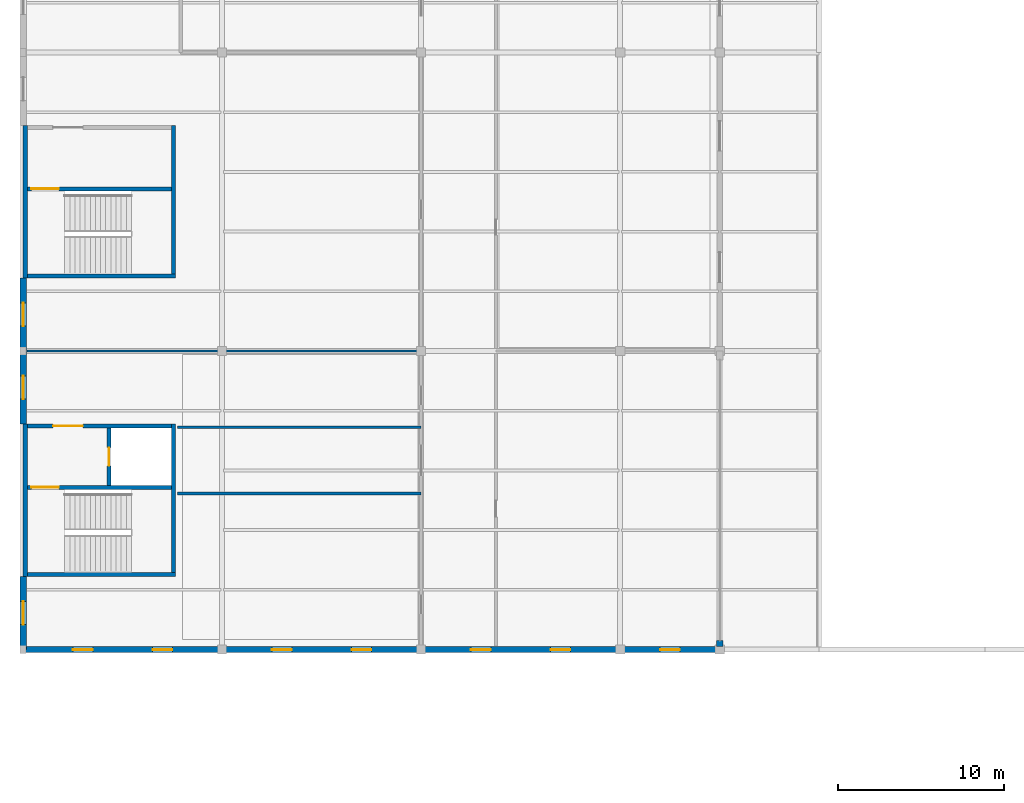
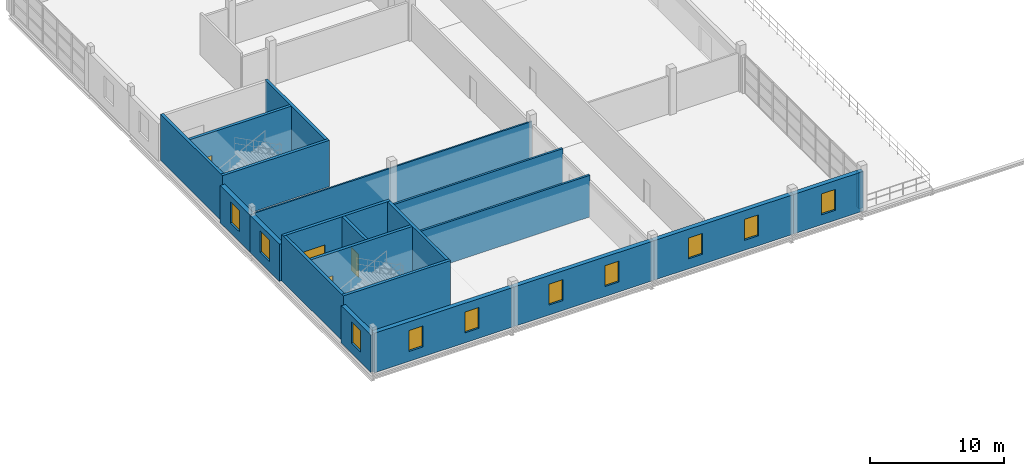
# One storey, part 77 of 86: 21 walls, 10 windows, 4 doors, 14 openings.
"""IFC4 building model written with IfcOpenShell, lengths in metres."""

from ifc_helpers import new_model, si_unit, direction, frame, frame_2d, origin, place, context, subcontext, project, spatial, rectangle, extrude, material, layer, layer_set, type_object, element, fill, save


model = new_model("IFC4")

# Units and contexts
model_context = context("Model", 3, precision=1e-05, world=origin(), true_north=direction((0.0, 1.0)))
body_context = subcontext(model_context, "Body", "Model", "MODEL_VIEW")
ifc_project = project(units=[si_unit("LENGTHUNIT", "METRE"), si_unit("AREAUNIT", "SQUARE_METRE"), si_unit("VOLUMEUNIT", "CUBIC_METRE"), si_unit("PLANEANGLEUNIT", "RADIAN"), si_unit("MASSUNIT", "GRAM", prefix="KILO")], contexts=[model_context])

# Site, building, storey
site_placement = place(None, origin())
site = spatial("IfcSite", under=ifc_project, at=site_placement, CompositionType="ELEMENT")
building_placement = place(site_placement, origin())
building = spatial("IfcBuilding", under=site, at=building_placement, Name="Zilviju Railside Exhibition Hall", CompositionType="ELEMENT")
storey_placement = place(building_placement, frame((0.0, 0.0, 12.60009765625)))
storey = spatial("IfcBuildingStorey", under=building, at=storey_placement, Name="L04", CompositionType="ELEMENT", Elevation=12.60009765625)

# Walls
ifc_material_1 = material(Name="Concrete C35/45", Category="concrete")
ifc_layer_1 = layer(ifc_material_1, 0.25)
ifc_layer_set_1 = layer_set([ifc_layer_1], Name="Concrete C35/45")
wall_type_1 = type_object("IfcWallType", Name="WL-CORE-250", PredefinedType="SHEAR", material=ifc_layer_set_1)
wall_1_placement = place(storey_placement, frame((0.0, 88.52490234375, 0.0), z_axis=(0.0, 0.0, 1.0), x_axis=(1.0, 0.0, 0.0)))
element("IfcWall", 1, at=wall_1_placement, inside=storey, type_object=wall_type_1, Name="Core C15 Organisers Wing South Stairwell Outer Wall L04", PredefinedType="SHEAR", context=body_context, shape_type="SweptSolid", body=[
    extrude(rectangle(XDim=9.199951171875, YDim=0.25, at=frame_2d((4.60009765625, 0.0))), origin(), (0.0, 0.0, 1.0), 4.199951171875),
])
wall_2_placement = place(storey_placement, frame((9.074951171875, 88.39990234375, 0.0), z_axis=(0.0, 0.0, 1.0), x_axis=(0.0, 1.0, 0.0)))
element("IfcWall", 2, at=wall_2_placement, inside=storey, type_object=wall_type_1, Name="Core C15 Organisers Wing South Core Rear Wall L04", PredefinedType="SHEAR", context=body_context, shape_type="SweptSolid", body=[
    extrude(rectangle(XDim=9.2001953125, YDim=0.25, at=frame_2d((4.60009765625, 0.0))), origin(), (0.0, 0.0, 1.0), 4.199951171875),
])

# Wall, opening, door
wall_3_placement = place(storey_placement, frame((0.0, 97.47509765625, 0.0), z_axis=(0.0, 0.0, 1.0), x_axis=(1.0, 0.0, 0.0)))
wall_3 = element("IfcWall", 3, at=wall_3_placement, inside=storey, type_object=wall_type_1, Name="Core C15 Organisers Wing South Lobby Side Wall L04", PredefinedType="SHEAR", context=body_context, shape_type="SweptSolid", body=[
    extrude(rectangle(XDim=9.199951171875, YDim=0.25, at=frame_2d((4.60009765625, 0.0))), origin(), (0.0, 0.0, 1.0), 4.199951171875),
])
opening_1_placement = place(wall_3_placement, frame((1.800048828125, 0.0, 0.0)))
opening_1 = element("IfcOpeningElement", 4, at=opening_1_placement, cuts=wall_3, Name="Opening FD-02", PredefinedType="OPENING", context=body_context, shape_type="SweptSolid", body=[
    extrude(rectangle(XDim=1.800048828125, YDim=2.14990234375, at=frame_2d((0.89990234375, 1.074951171875))), frame((0.0, 0.135009765625, 0.0), z_axis=(0.0, -1.0, 0.0), x_axis=(1.0, 0.0, 0.0)), (0.0, 0.0, 1.0), 0.27001953125),
])
ifc_material_2 = material(Name="Self-closing glazed steel core lobby fire door EI 60", Category="steel")
door_type_1 = type_object("IfcDoorType", Name="DR-LOBBY-180x215", OperationType="NOTDEFINED", PredefinedType="DOOR", material=ifc_material_2)
door_1_placement = place(opening_1_placement, origin())
door_1 = element("IfcDoor", 5, at=door_1_placement, inside=storey, type_object=door_type_1, Name="Core C15 Organisers Wing South Lobby Fire Door L04", OperationType="DOUBLE_DOOR_SINGLE_SWING", OverallHeight=2.14990234375, OverallWidth=1.800048828125, PredefinedType="DOOR", context=body_context, shape_type="SweptSolid", body=[
    extrude(rectangle(XDim=1.800048828125, YDim=2.14990234375, at=frame_2d((0.89990234375, 1.074951171875))), frame((0.0, 0.02490234375, 0.0), z_axis=(0.0, -1.0, 0.0), x_axis=(1.0, 0.0, 0.0)), (0.0, 0.0, 1.0), 0.050048828125),
])
fill(opening_1, door_1)

wall_4_placement = place(storey_placement, frame((0.25, 93.77490234375, 0.0), z_axis=(0.0, 0.0, 1.0), x_axis=(1.0, 0.0, 0.0)))
wall_4 = element("IfcWall", 6, at=wall_4_placement, inside=storey, type_object=wall_type_1, Name="Core C15 Organisers Wing South Stairwell Partition Wall L04", PredefinedType="SHEAR", context=body_context, shape_type="SweptSolid", body=[
    extrude(rectangle(XDim=8.699951171875, YDim=0.25, at=frame_2d((4.35009765625, 0.0))), origin(), (0.0, 0.0, 1.0), 4.199951171875),
])
opening_2_placement = place(wall_4_placement, frame((0.25, 0.0, 0.0)))
opening_2 = element("IfcOpeningElement", 7, at=opening_2_placement, cuts=wall_4, Name="Opening FD-01", PredefinedType="OPENING", context=body_context, shape_type="SweptSolid", body=[
    extrude(rectangle(XDim=1.64990234375, YDim=2.10009765625, at=frame_2d((0.824951171875, 1.050048828125))), frame((0.0, 0.135009765625, 0.0), z_axis=(0.0, -1.0, 0.0), x_axis=(1.0, 0.0, 0.0)), (0.0, 0.0, 1.0), 0.27001953125),
])
ifc_material_3 = material(Name="Self-closing steel stair enclosure fire door EI 60", Category="steel")
door_type_2 = type_object("IfcDoorType", Name="DR-STAIR-165x210", OperationType="NOTDEFINED", PredefinedType="DOOR", material=ifc_material_3)
door_2_placement = place(opening_2_placement, origin())
door_2 = element("IfcDoor", 8, at=door_2_placement, inside=storey, type_object=door_type_2, Name="Core C15 Organisers Wing South Protected Stair Door L04", OperationType="SINGLE_SWING_RIGHT", OverallHeight=2.10009765625, OverallWidth=1.64990234375, PredefinedType="DOOR", context=body_context, shape_type="SweptSolid", body=[
    extrude(rectangle(XDim=1.64990234375, YDim=2.10009765625, at=frame_2d((0.824951171875, 1.050048828125))), frame((0.0, 0.02490234375, 0.0), z_axis=(0.0, -1.0, 0.0), x_axis=(1.0, 0.0, 0.0)), (0.0, 0.0, 1.0), 0.050048828125),
])
fill(opening_2, door_2)

wall_5_placement = place(storey_placement, frame((5.175048828125, 93.89990234375, 0.0), z_axis=(0.0, 0.0, 1.0), x_axis=(0.0, 1.0, 0.0)))
wall_5 = element("IfcWall", 9, at=wall_5_placement, inside=storey, type_object=wall_type_1, Name="Core C15 Organisers Wing South Lift Shaft Front Wall L04", PredefinedType="SHEAR", context=body_context, shape_type="SweptSolid", body=[
    extrude(rectangle(XDim=3.4501953125, YDim=0.25, at=frame_2d((1.72509765625, 0.0))), origin(), (0.0, 0.0, 1.0), 4.199951171875),
])
opening_3_placement = place(wall_5_placement, frame((1.175048828125, 0.0, 0.0)))
opening_3 = element("IfcOpeningElement", 10, at=opening_3_placement, cuts=wall_5, Name="Opening LD-01", PredefinedType="OPENING", context=body_context, shape_type="SweptSolid", body=[
    extrude(rectangle(XDim=1.10009765625, YDim=2.10009765625, at=frame_2d((0.550048828125, 1.050048828125))), frame((0.0, 0.135009765625, 0.0), z_axis=(0.0, -1.0, 0.0), x_axis=(1.0, 0.0, 0.0)), (0.0, 0.0, 1.0), 0.27001953125),
])
ifc_material_4 = material(Name="Passenger lift sliding landing door EI 60", Category="wood")
door_type_3 = type_object("IfcDoorType", Name="DR-LIFT-110x210", OperationType="NOTDEFINED", PredefinedType="DOOR", material=ifc_material_4)
door_3_placement = place(opening_3_placement, origin())
door_3 = element("IfcDoor", 11, at=door_3_placement, inside=storey, type_object=door_type_3, Name="Lift Landing Door LP-06 L04", OperationType="SLIDING_TO_LEFT", OverallHeight=2.10009765625, OverallWidth=1.10009765625, PredefinedType="DOOR", context=body_context, shape_type="SweptSolid", body=[
    extrude(rectangle(XDim=1.10009765625, YDim=2.10009765625, at=frame_2d((0.550048828125, 1.050048828125))), frame((0.0, 0.02490234375, 0.0), z_axis=(0.0, -1.0, 0.0), x_axis=(1.0, 0.0, 0.0)), (0.0, 0.0, 1.0), 0.050048828125),
])
fill(opening_3, door_3)

# Walls
wall_6_placement = place(storey_placement, frame((0.0, 106.52490234375, 0.0), z_axis=(0.0, 0.0, 1.0), x_axis=(1.0, 0.0, 0.0)))
element("IfcWall", 12, at=wall_6_placement, inside=storey, type_object=wall_type_1, Name="Core C16 Organisers Wing North Stairwell Outer Wall L04", PredefinedType="SHEAR", context=body_context, shape_type="SweptSolid", body=[
    extrude(rectangle(XDim=9.199951171875, YDim=0.25, at=frame_2d((4.60009765625, 0.0))), origin(), (0.0, 0.0, 1.0), 4.199951171875),
])
wall_7_placement = place(storey_placement, frame((9.074951171875, 106.39990234375, 0.0), z_axis=(0.0, 0.0, 1.0), x_axis=(0.0, 1.0, 0.0)))
element("IfcWall", 13, at=wall_7_placement, inside=storey, type_object=wall_type_1, Name="Core C16 Organisers Wing North Core Rear Wall L04", PredefinedType="SHEAR", context=body_context, shape_type="SweptSolid", body=[
    extrude(rectangle(XDim=9.2001953125, YDim=0.25, at=frame_2d((4.60009765625, 0.0))), origin(), (0.0, 0.0, 1.0), 4.199951171875),
])

# Wall, opening, door
wall_8_placement = place(storey_placement, frame((0.25, 111.77490234375, 0.0), z_axis=(0.0, 0.0, 1.0), x_axis=(1.0, 0.0, 0.0)))
wall_8 = element("IfcWall", 14, at=wall_8_placement, inside=storey, type_object=wall_type_1, Name="Core C16 Organisers Wing North Stairwell Partition Wall L04", PredefinedType="SHEAR", context=body_context, shape_type="SweptSolid", body=[
    extrude(rectangle(XDim=8.699951171875, YDim=0.25, at=frame_2d((4.35009765625, 0.0))), origin(), (0.0, 0.0, 1.0), 4.199951171875),
])
opening_4_placement = place(wall_8_placement, frame((0.25, 0.0, 0.0)))
opening_4 = element("IfcOpeningElement", 15, at=opening_4_placement, cuts=wall_8, Name="Opening FD-01", PredefinedType="OPENING", context=body_context, shape_type="SweptSolid", body=[
    extrude(rectangle(XDim=1.64990234375, YDim=2.10009765625, at=frame_2d((0.824951171875, 1.050048828125))), frame((0.0, 0.135009765625, 0.0), z_axis=(0.0, -1.0, 0.0), x_axis=(1.0, 0.0, 0.0)), (0.0, 0.0, 1.0), 0.27001953125),
])
door_4_placement = place(opening_4_placement, origin())
door_4 = element("IfcDoor", 16, at=door_4_placement, inside=storey, type_object=door_type_2, Name="Core C16 Organisers Wing North Protected Stair Door L04", OperationType="SINGLE_SWING_LEFT", OverallHeight=2.10009765625, OverallWidth=1.64990234375, PredefinedType="DOOR", context=body_context, shape_type="SweptSolid", body=[
    extrude(rectangle(XDim=1.64990234375, YDim=2.10009765625, at=frame_2d((0.824951171875, 1.050048828125))), frame((0.0, 0.02490234375, 0.0), z_axis=(0.0, -1.0, 0.0), x_axis=(1.0, 0.0, 0.0)), (0.0, 0.0, 1.0), 0.050048828125),
])
fill(opening_4, door_4)

# Walls
ifc_material_5 = material(Name="Concrete C40/50", Category="concrete")
ifc_layer_2 = layer(ifc_material_5, 0.25)
ifc_layer_set_2 = layer_set([ifc_layer_2], Name="Concrete C40/50")
wall_type_2 = type_object("IfcWallType", Name="WL-CORE-300", PredefinedType="SHEAR", material=ifc_layer_set_2)
for number, where, z_axis, x_axis, name in (
    (17, (0.125, 88.39990234375, 0.0), (0.0, 0.0, 1.0), (0.0, 1.0, 0.0), "Core C15 Organisers Wing South Exterior Core Wall L04"),
    (18, (0.125, 106.39990234375, 0.0), (0.0, 0.0, 1.0), (0.0, 1.0, 0.0), "Core C16 Organisers Wing North Exterior Core Wall L04"),
):
    element("IfcWall", number, at=place(storey_placement, frame(where, z_axis=z_axis, x_axis=x_axis)), inside=storey, type_object=wall_type_2, Name=name, PredefinedType="SHEAR", context=body_context, shape_type="SweptSolid", body=[
        extrude(rectangle(XDim=9.2001953125, YDim=0.25, at=frame_2d((4.60009765625, 0.0))), origin(), (0.0, 0.0, 1.0), 4.199951171875),
    ])

# Wall, opening, window
ifc_material_6 = material(Name="Insulated cream-brick upper facade wall", Category="masonry")
ifc_layer_3 = layer(ifc_material_6, 0.3798828125)
ifc_layer_set_3 = layer_set([ifc_layer_3], Name="Insulated cream-brick upper facade wall")
wall_type_3 = type_object("IfcWallType", Name="WL-EXT-380", PredefinedType="SOLIDWALL", material=ifc_layer_set_3)
wall_9_placement = place(storey_placement, frame((0.0, 84.0, 0.0), z_axis=(0.0, 0.0, 1.0), x_axis=(0.0, 1.0, 0.0)))
wall_9 = element("IfcWall", 19, at=wall_9_placement, inside=storey, type_object=wall_type_3, Name="Exterior Facade Wall L04 West 0486", PredefinedType="SOLIDWALL", context=body_context, shape_type="SweptSolid", body=[
    extrude(rectangle(XDim=4.39990234375, YDim=0.3798828125, at=frame_2d((2.199951171875, 0.0))), origin(), (0.0, 0.0, 1.0), 3.3798828125),
])
opening_5_placement = place(wall_9_placement, frame((1.5, 0.0, 0.89990234375)))
opening_5 = element("IfcOpeningElement", 20, at=opening_5_placement, cuts=wall_9, Name="Opening WN-03", PredefinedType="OPENING", context=body_context, shape_type="SweptSolid", body=[
    extrude(rectangle(XDim=1.39990234375, YDim=1.949951171875, at=frame_2d((0.699951171875, 0.97509765625))), frame((0.0, 0.199951171875, 0.0), z_axis=(0.0, -1.0, 0.0), x_axis=(1.0, 0.0, 0.0)), (0.0, 0.0, 1.0), 0.39990234375),
])
ifc_material_7 = material(Name="Triple-glazed timber-aluminium window unit", Category="wood")
window_type_1 = type_object("IfcWindowType", Name="WIN-JUG-140x195", PartitioningType="DOUBLE_PANEL_VERTICAL", PredefinedType="WINDOW", material=ifc_material_7)
window_1_placement = place(opening_5_placement, origin())
window_1 = element("IfcWindow", 21, at=window_1_placement, inside=storey, type_object=window_type_1, Name="Facade Window L04 WN-0053", OverallHeight=1.949951171875, OverallWidth=1.39990234375, PartitioningType="SINGLE_PANEL", PredefinedType="WINDOW", context=body_context, shape_type="SweptSolid", body=[
    extrude(rectangle(XDim=1.39990234375, YDim=1.949951171875, at=frame_2d((0.699951171875, 0.97509765625))), frame((0.0, 0.030029296875, 0.0), z_axis=(0.0, -1.0, 0.0), x_axis=(1.0, 0.0, 0.0)), (0.0, 0.0, 1.0), 0.06005859375),
])
fill(opening_5, window_1)

wall_10_placement = place(storey_placement, frame((0.0, 97.60009765625, 0.0), z_axis=(0.0, 0.0, 1.0), x_axis=(0.0, 1.0, 0.0)))
wall_10 = element("IfcWall", 22, at=wall_10_placement, inside=storey, type_object=wall_type_3, Name="Exterior Facade Wall L04 West 0487", PredefinedType="SOLIDWALL", context=body_context, shape_type="SweptSolid", body=[
    extrude(rectangle(XDim=4.39990234375, YDim=0.3798828125, at=frame_2d((2.199951171875, 0.0))), origin(), (0.0, 0.0, 1.0), 3.3798828125),
])
opening_6_placement = place(wall_10_placement, frame((1.5, 0.0, 0.89990234375)))
opening_6 = element("IfcOpeningElement", 23, at=opening_6_placement, cuts=wall_10, Name="Opening WN-03", PredefinedType="OPENING", context=body_context, shape_type="SweptSolid", body=[
    extrude(rectangle(XDim=1.39990234375, YDim=1.949951171875, at=frame_2d((0.699951171875, 0.97509765625))), frame((0.0, 0.199951171875, 0.0), z_axis=(0.0, -1.0, 0.0), x_axis=(1.0, 0.0, 0.0)), (0.0, 0.0, 1.0), 0.39990234375),
])
window_2_placement = place(opening_6_placement, origin())
window_2 = element("IfcWindow", 24, at=window_2_placement, inside=storey, type_object=window_type_1, Name="Facade Window L04 WN-0054", OverallHeight=1.949951171875, OverallWidth=1.39990234375, PartitioningType="SINGLE_PANEL", PredefinedType="WINDOW", context=body_context, shape_type="SweptSolid", body=[
    extrude(rectangle(XDim=1.39990234375, YDim=1.949951171875, at=frame_2d((0.699951171875, 0.97509765625))), frame((0.0, 0.030029296875, 0.0), z_axis=(0.0, -1.0, 0.0), x_axis=(1.0, 0.0, 0.0)), (0.0, 0.0, 1.0), 0.06005859375),
])
fill(opening_6, window_2)

wall_11_placement = place(storey_placement, frame((0.0, 102.0, 0.0), z_axis=(0.0, 0.0, 1.0), x_axis=(0.0, 1.0, 0.0)))
wall_11 = element("IfcWall", 25, at=wall_11_placement, inside=storey, type_object=wall_type_3, Name="Exterior Facade Wall L04 West 0488", PredefinedType="SOLIDWALL", context=body_context, shape_type="SweptSolid", body=[
    extrude(rectangle(XDim=4.39990234375, YDim=0.3798828125, at=frame_2d((2.199951171875, 0.0))), origin(), (0.0, 0.0, 1.0), 3.3798828125),
])
opening_7_placement = place(wall_11_placement, frame((1.5, 0.0, 0.89990234375)))
opening_7 = element("IfcOpeningElement", 26, at=opening_7_placement, cuts=wall_11, Name="Opening WN-03", PredefinedType="OPENING", context=body_context, shape_type="SweptSolid", body=[
    extrude(rectangle(XDim=1.39990234375, YDim=1.949951171875, at=frame_2d((0.699951171875, 0.97509765625))), frame((0.0, 0.199951171875, 0.0), z_axis=(0.0, -1.0, 0.0), x_axis=(1.0, 0.0, 0.0)), (0.0, 0.0, 1.0), 0.39990234375),
])
window_3_placement = place(opening_7_placement, origin())
window_3 = element("IfcWindow", 27, at=window_3_placement, inside=storey, type_object=window_type_1, Name="Facade Window L04 WN-0055", OverallHeight=1.949951171875, OverallWidth=1.39990234375, PartitioningType="SINGLE_PANEL", PredefinedType="WINDOW", context=body_context, shape_type="SweptSolid", body=[
    extrude(rectangle(XDim=1.39990234375, YDim=1.949951171875, at=frame_2d((0.699951171875, 0.97509765625))), frame((0.0, 0.030029296875, 0.0), z_axis=(0.0, -1.0, 0.0), x_axis=(1.0, 0.0, 0.0)), (0.0, 0.0, 1.0), 0.06005859375),
])
fill(opening_7, window_3)

# Wall
wall_12_placement = place(storey_placement, frame((42.0, 84.550048828125, 0.0), z_axis=(0.0, 0.0, 1.0), x_axis=(0.0, -1.0, 0.0)))
element("IfcWall", 28, at=wall_12_placement, inside=storey, type_object=wall_type_3, Name="Curtain-Wall Jamb Closure Pier L04 0493", PredefinedType="SOLIDWALL", context=body_context, shape_type="SweptSolid", body=[
    extrude(rectangle(XDim=0.358154296875, YDim=0.3798828125, at=frame_2d((0.17919921875, 0.0))), origin(), (0.0, 0.0, 1.0), 3.2998046875),
])

# Wall, openings, windows
wall_13_placement = place(storey_placement, frame((12.0, 84.0, 0.0), z_axis=(0.0, 0.0, 1.0), x_axis=(-1.0, 0.0, 0.0)))
wall_13 = element("IfcWall", 29, at=wall_13_placement, inside=storey, type_object=wall_type_3, Name="Exterior Facade Wall L04 South 0498", PredefinedType="SOLIDWALL", context=body_context, shape_type="SweptSolid", body=[
    extrude(rectangle(XDim=12.0, YDim=0.3798828125, at=frame_2d((6.0, 0.0))), origin(), (0.0, 0.0, 1.0), 3.58984375),
])
opening_8_placement = place(wall_13_placement, frame((3.0, 0.0, 0.89990234375)))
opening_8 = element("IfcOpeningElement", 30, at=opening_8_placement, cuts=wall_13, Name="Opening WN-04", PredefinedType="OPENING", context=body_context, shape_type="SweptSolid", body=[
    extrude(rectangle(XDim=1.199951171875, YDim=1.89990234375, at=frame_2d((0.60009765625, 0.949951171875))), frame((0.0, 0.199951171875, 0.0), z_axis=(0.0, -1.0, 0.0), x_axis=(1.0, 0.0, 0.0)), (0.0, 0.0, 1.0), 0.39990234375),
])
opening_9_placement = place(wall_13_placement, frame((7.800048828125, 0.0, 0.89990234375)))
opening_9 = element("IfcOpeningElement", 31, at=opening_9_placement, cuts=wall_13, Name="Opening WN-04", PredefinedType="OPENING", context=body_context, shape_type="SweptSolid", body=[
    extrude(rectangle(XDim=1.199951171875, YDim=1.89990234375, at=frame_2d((0.60009765625, 0.949951171875))), frame((0.0, 0.199951171875, 0.0), z_axis=(0.0, -1.0, 0.0), x_axis=(1.0, 0.0, 0.0)), (0.0, 0.0, 1.0), 0.39990234375),
])
window_type_2 = type_object("IfcWindowType", Name="WIN-JUG-120x190", PartitioningType="SINGLE_PANEL", PredefinedType="WINDOW", material=ifc_material_7)
window_4_placement = place(opening_8_placement, origin())
window_4 = element("IfcWindow", 32, at=window_4_placement, inside=storey, type_object=window_type_2, Name="Facade Window L04 WN-0061", OverallHeight=1.89990234375, OverallWidth=1.199951171875, PartitioningType="SINGLE_PANEL", PredefinedType="WINDOW", context=body_context, shape_type="SweptSolid", body=[
    extrude(rectangle(XDim=1.199951171875, YDim=1.89990234375, at=frame_2d((0.60009765625, 0.949951171875))), frame((0.0, 0.030029296875, 0.0), z_axis=(0.0, -1.0, 0.0), x_axis=(1.0, 0.0, 0.0)), (0.0, 0.0, 1.0), 0.06005859375),
])
fill(opening_8, window_4)
window_5_placement = place(opening_9_placement, origin())
window_5 = element("IfcWindow", 33, at=window_5_placement, inside=storey, type_object=window_type_2, Name="Facade Window L04 WN-0062", OverallHeight=1.89990234375, OverallWidth=1.199951171875, PartitioningType="SINGLE_PANEL", PredefinedType="WINDOW", context=body_context, shape_type="SweptSolid", body=[
    extrude(rectangle(XDim=1.199951171875, YDim=1.89990234375, at=frame_2d((0.60009765625, 0.949951171875))), frame((0.0, 0.030029296875, 0.0), z_axis=(0.0, -1.0, 0.0), x_axis=(1.0, 0.0, 0.0)), (0.0, 0.0, 1.0), 0.06005859375),
])
fill(opening_9, window_5)

wall_14_placement = place(storey_placement, frame((24.0, 84.0, 0.0), z_axis=(0.0, 0.0, 1.0), x_axis=(-1.0, 0.0, 0.0)))
wall_14 = element("IfcWall", 34, at=wall_14_placement, inside=storey, type_object=wall_type_3, Name="Exterior Facade Wall L04 South 0500", PredefinedType="SOLIDWALL", context=body_context, shape_type="SweptSolid", body=[
    extrude(rectangle(XDim=12.0, YDim=0.3798828125, at=frame_2d((6.0, 0.0))), origin(), (0.0, 0.0, 1.0), 3.58984375),
])
opening_10_placement = place(wall_14_placement, frame((3.0, 0.0, 0.89990234375)))
opening_10 = element("IfcOpeningElement", 35, at=opening_10_placement, cuts=wall_14, Name="Opening WN-04", PredefinedType="OPENING", context=body_context, shape_type="SweptSolid", body=[
    extrude(rectangle(XDim=1.199951171875, YDim=1.89990234375, at=frame_2d((0.60009765625, 0.949951171875))), frame((0.0, 0.199951171875, 0.0), z_axis=(0.0, -1.0, 0.0), x_axis=(1.0, 0.0, 0.0)), (0.0, 0.0, 1.0), 0.39990234375),
])
opening_11_placement = place(wall_14_placement, frame((7.800048828125, 0.0, 0.89990234375)))
opening_11 = element("IfcOpeningElement", 36, at=opening_11_placement, cuts=wall_14, Name="Opening WN-04", PredefinedType="OPENING", context=body_context, shape_type="SweptSolid", body=[
    extrude(rectangle(XDim=1.199951171875, YDim=1.89990234375, at=frame_2d((0.60009765625, 0.949951171875))), frame((0.0, 0.199951171875, 0.0), z_axis=(0.0, -1.0, 0.0), x_axis=(1.0, 0.0, 0.0)), (0.0, 0.0, 1.0), 0.39990234375),
])
window_6_placement = place(opening_10_placement, origin())
window_6 = element("IfcWindow", 37, at=window_6_placement, inside=storey, type_object=window_type_2, Name="Facade Window L04 WN-0063", OverallHeight=1.89990234375, OverallWidth=1.199951171875, PartitioningType="SINGLE_PANEL", PredefinedType="WINDOW", context=body_context, shape_type="SweptSolid", body=[
    extrude(rectangle(XDim=1.199951171875, YDim=1.89990234375, at=frame_2d((0.60009765625, 0.949951171875))), frame((0.0, 0.030029296875, 0.0), z_axis=(0.0, -1.0, 0.0), x_axis=(1.0, 0.0, 0.0)), (0.0, 0.0, 1.0), 0.06005859375),
])
fill(opening_10, window_6)
window_7_placement = place(opening_11_placement, origin())
window_7 = element("IfcWindow", 38, at=window_7_placement, inside=storey, type_object=window_type_2, Name="Facade Window L04 WN-0064", OverallHeight=1.89990234375, OverallWidth=1.199951171875, PartitioningType="SINGLE_PANEL", PredefinedType="WINDOW", context=body_context, shape_type="SweptSolid", body=[
    extrude(rectangle(XDim=1.199951171875, YDim=1.89990234375, at=frame_2d((0.60009765625, 0.949951171875))), frame((0.0, 0.030029296875, 0.0), z_axis=(0.0, -1.0, 0.0), x_axis=(1.0, 0.0, 0.0)), (0.0, 0.0, 1.0), 0.06005859375),
])
fill(opening_11, window_7)

wall_15_placement = place(storey_placement, frame((36.0, 84.0, 0.0), z_axis=(0.0, 0.0, 1.0), x_axis=(-1.0, 0.0, 0.0)))
wall_15 = element("IfcWall", 39, at=wall_15_placement, inside=storey, type_object=wall_type_3, Name="Exterior Facade Wall L04 South 0502", PredefinedType="SOLIDWALL", context=body_context, shape_type="SweptSolid", body=[
    extrude(rectangle(XDim=12.0, YDim=0.3798828125, at=frame_2d((6.0, 0.0))), origin(), (0.0, 0.0, 1.0), 3.58984375),
])
opening_12_placement = place(wall_15_placement, frame((3.0, 0.0, 0.89990234375)))
opening_12 = element("IfcOpeningElement", 40, at=opening_12_placement, cuts=wall_15, Name="Opening WN-04", PredefinedType="OPENING", context=body_context, shape_type="SweptSolid", body=[
    extrude(rectangle(XDim=1.199951171875, YDim=1.89990234375, at=frame_2d((0.60009765625, 0.949951171875))), frame((0.0, 0.199951171875, 0.0), z_axis=(0.0, -1.0, 0.0), x_axis=(1.0, 0.0, 0.0)), (0.0, 0.0, 1.0), 0.39990234375),
])
opening_13_placement = place(wall_15_placement, frame((7.800048828125, 0.0, 0.89990234375)))
opening_13 = element("IfcOpeningElement", 41, at=opening_13_placement, cuts=wall_15, Name="Opening WN-04", PredefinedType="OPENING", context=body_context, shape_type="SweptSolid", body=[
    extrude(rectangle(XDim=1.199951171875, YDim=1.89990234375, at=frame_2d((0.60009765625, 0.949951171875))), frame((0.0, 0.199951171875, 0.0), z_axis=(0.0, -1.0, 0.0), x_axis=(1.0, 0.0, 0.0)), (0.0, 0.0, 1.0), 0.39990234375),
])
window_8_placement = place(opening_12_placement, origin())
window_8 = element("IfcWindow", 42, at=window_8_placement, inside=storey, type_object=window_type_2, Name="Facade Window L04 WN-0065", OverallHeight=1.89990234375, OverallWidth=1.199951171875, PartitioningType="SINGLE_PANEL", PredefinedType="WINDOW", context=body_context, shape_type="SweptSolid", body=[
    extrude(rectangle(XDim=1.199951171875, YDim=1.89990234375, at=frame_2d((0.60009765625, 0.949951171875))), frame((0.0, 0.030029296875, 0.0), z_axis=(0.0, -1.0, 0.0), x_axis=(1.0, 0.0, 0.0)), (0.0, 0.0, 1.0), 0.06005859375),
])
fill(opening_12, window_8)
window_9_placement = place(opening_13_placement, origin())
window_9 = element("IfcWindow", 43, at=window_9_placement, inside=storey, type_object=window_type_2, Name="Facade Window L04 WN-0066", OverallHeight=1.89990234375, OverallWidth=1.199951171875, PartitioningType="SINGLE_PANEL", PredefinedType="WINDOW", context=body_context, shape_type="SweptSolid", body=[
    extrude(rectangle(XDim=1.199951171875, YDim=1.89990234375, at=frame_2d((0.60009765625, 0.949951171875))), frame((0.0, 0.030029296875, 0.0), z_axis=(0.0, -1.0, 0.0), x_axis=(1.0, 0.0, 0.0)), (0.0, 0.0, 1.0), 0.06005859375),
])
fill(opening_13, window_9)

# Wall, opening, window
wall_16_placement = place(storey_placement, frame((42.0, 84.0, 0.0), z_axis=(0.0, 0.0, 1.0), x_axis=(-1.0, 0.0, 0.0)))
wall_16 = element("IfcWall", 44, at=wall_16_placement, inside=storey, type_object=wall_type_3, Name="Exterior Facade Wall L04 South 0504", PredefinedType="SOLIDWALL", context=body_context, shape_type="SweptSolid", body=[
    extrude(rectangle(XDim=6.0, YDim=0.3798828125, at=frame_2d((3.0, 0.0))), origin(), (0.0, 0.0, 1.0), 3.58984375),
])
opening_14_placement = place(wall_16_placement, frame((2.39990234375, 0.0, 0.89990234375)))
opening_14 = element("IfcOpeningElement", 45, at=opening_14_placement, cuts=wall_16, Name="Opening WN-04", PredefinedType="OPENING", context=body_context, shape_type="SweptSolid", body=[
    extrude(rectangle(XDim=1.199951171875, YDim=1.89990234375, at=frame_2d((0.60009765625, 0.949951171875))), frame((0.0, 0.199951171875, 0.0), z_axis=(0.0, -1.0, 0.0), x_axis=(1.0, 0.0, 0.0)), (0.0, 0.0, 1.0), 0.39990234375),
])
window_10_placement = place(opening_14_placement, origin())
window_10 = element("IfcWindow", 46, at=window_10_placement, inside=storey, type_object=window_type_2, Name="Facade Window L04 WN-0067", OverallHeight=1.89990234375, OverallWidth=1.199951171875, PartitioningType="SINGLE_PANEL", PredefinedType="WINDOW", context=body_context, shape_type="SweptSolid", body=[
    extrude(rectangle(XDim=1.199951171875, YDim=1.89990234375, at=frame_2d((0.60009765625, 0.949951171875))), frame((0.0, 0.030029296875, 0.0), z_axis=(0.0, -1.0, 0.0), x_axis=(1.0, 0.0, 0.0)), (0.0, 0.0, 1.0), 0.06005859375),
])
fill(opening_14, window_10)

# Walls
ifc_material_8 = material(Name="Light office acoustic partition wall", Category="masonry")
ifc_layer_4 = layer(ifc_material_8, 0.135009765625)
ifc_layer_set_4 = layer_set([ifc_layer_4], Name="Light office acoustic partition wall")
wall_type_4 = type_object("IfcWallType", Name="WL-PART-135", PredefinedType="PARTITIONING", material=ifc_layer_set_4)
wall_17_placement = place(storey_placement, frame((0.219970703125, 102.0, 0.0), z_axis=(0.0, 0.0, 1.0), x_axis=(1.0, 0.0, 0.0)))
element("IfcWall", 47, at=wall_17_placement, inside=storey, type_object=wall_type_4, Name="Wing West Cross Wall L04 Y=102", PredefinedType="PARTITIONING", context=body_context, shape_type="SweptSolid", body=[
    extrude(rectangle(XDim=23.780029296875, YDim=0.135009765625, at=frame_2d((11.89013671875, 0.0))), origin(), (0.0, 0.0, 1.0), 3.43994140625),
])
ifc_material_9 = material(Name="Acoustic conference partition wall", Category="masonry")
ifc_layer_5 = layer(ifc_material_9, 0.175048828125)
ifc_layer_set_5 = layer_set([ifc_layer_5], Name="Acoustic conference partition wall")
wall_type_5 = type_object("IfcWallType", Name="WL-PART-175", PredefinedType="PARTITIONING", material=ifc_layer_set_5)
for number, where, z_axis, x_axis, name in (
    (48, (9.300048828125, 93.39990234375, 0.0), (0.0, 0.0, 1.0), (1.0, 0.0, 0.0), "Wing Core Link South Wall L04"),
    (49, (9.300048828125, 97.39990234375, 0.0), (0.0, 0.0, 1.0), (1.0, 0.0, 0.0), "Wing Core Link North Wall L04"),
):
    element("IfcWall", number, at=place(storey_placement, frame(where, z_axis=z_axis, x_axis=x_axis)), inside=storey, type_object=wall_type_5, Name=name, PredefinedType="PARTITIONING", context=body_context, shape_type="SweptSolid", body=[
        extrude(rectangle(XDim=14.699951171875, YDim=0.175048828125, at=frame_2d((7.35009765625, 0.0))), origin(), (0.0, 0.0, 1.0), 3.77978515625),
    ])

save(model, "model.ifc")
